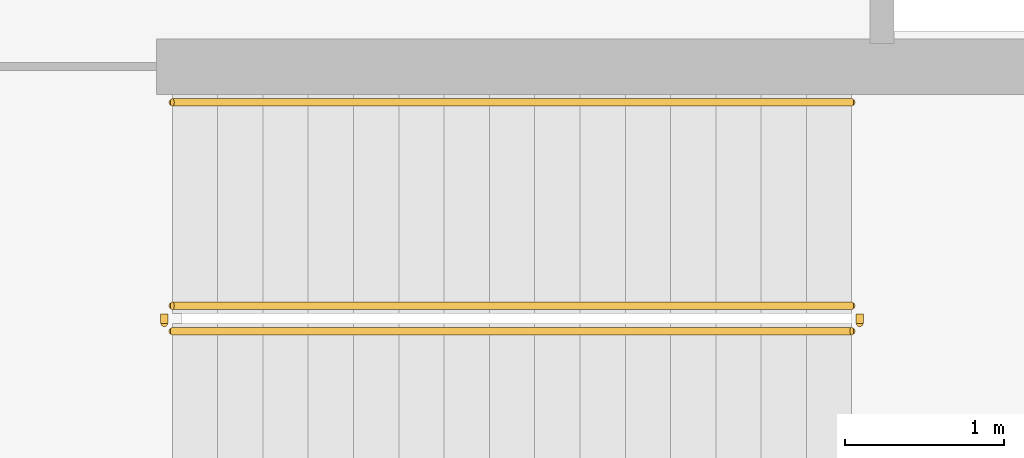
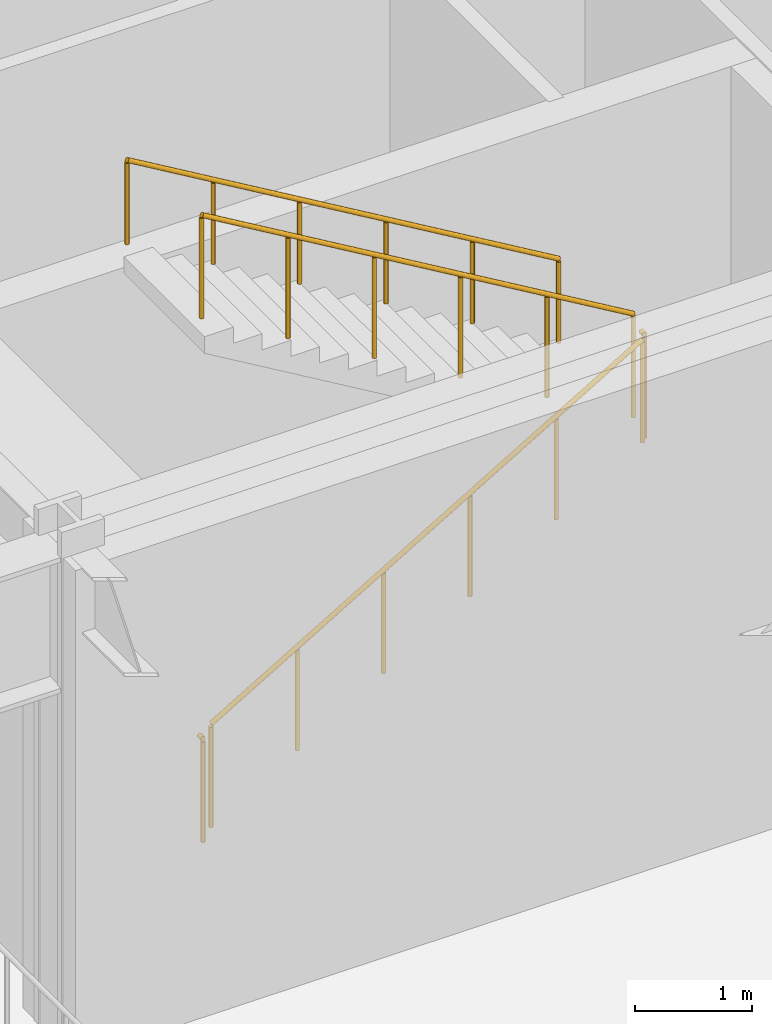
# One storey, part 13 of 15: 5 railings.
"""IFC4 building model written with IfcOpenShell, lengths in metres."""

from ifc_helpers import new_model, si_unit, direction, frame, origin, origin_2d, place, context, subcontext, project, spatial, circle, extrude, material, type_object, element, save


model = new_model("IFC4")

# Units and contexts
model_context = context("Model", 3, precision=1e-05, world=origin(), true_north=direction((0.0, 1.0)))
body_context = subcontext(model_context, "Body", "Model", "MODEL_VIEW")
ifc_project = project(units=[si_unit("LENGTHUNIT", "METRE"), si_unit("AREAUNIT", "SQUARE_METRE"), si_unit("VOLUMEUNIT", "CUBIC_METRE"), si_unit("PLANEANGLEUNIT", "RADIAN"), si_unit("MASSUNIT", "GRAM", prefix="KILO")], contexts=[model_context])

# Site, building, storey
site_placement = place(None, origin())
site = spatial("IfcSite", under=ifc_project, at=site_placement, CompositionType="ELEMENT")
building_placement = place(site_placement, origin())
building = spatial("IfcBuilding", under=site, at=building_placement, Name="Veymaron Broadcast Tower", CompositionType="ELEMENT")
storey_placement = place(building_placement, frame((0.0, 0.0, 5.39990234375)))
storey = spatial("IfcBuildingStorey", under=building, at=storey_placement, Name="L01", CompositionType="ELEMENT", Elevation=5.39990234375)

# Railings
ifc_material_1 = material(Name="Brushed stainless steel AISI 304", Category="steel")
railing_type_1 = type_object("IfcRailingType", Name="RAIL-STAIR-HR", PredefinedType="HANDRAIL", material=ifc_material_1)
railing_1_placement = place(storey_placement, frame((45.705078125, 19.219970703125, 2.868896484375)))
element("IfcRailing", 1, at=railing_1_placement, inside=storey, type_object=railing_type_1, Name="L01 ST2 stair handrail 2", PredefinedType="HANDRAIL", context=body_context, shape_type="SweptSolid", body=[
    extrude(circle(Radius=0.02392578125, at=origin_2d()), frame((0.0, 0.0, 0.8759765625), z_axis=(-0.860483042394, 0.0, 0.50947908078), x_axis=(0.0, -1.0, 0.0)), (0.0, 0.0, 1.0), 4.96826171875),
    extrude(circle(Radius=0.02099609375, at=origin_2d()), origin(), (0.0, 0.0, 1.0), 0.851806640625),
    extrude(circle(Radius=0.02099609375, at=origin_2d()), frame((-0.85498046875, 0.0, 0.50634765625)), (0.0, 0.0, 1.0), 0.851806640625),
    extrude(circle(Radius=0.02099609375, at=origin_2d()), frame((-1.7099609375, 0.0, 1.012451171875)), (0.0, 0.0, 1.0), 0.851806640625),
    extrude(circle(Radius=0.02099609375, at=origin_2d()), frame((-2.565185546875, 0.0, 1.518798828125)), (0.0, 0.0, 1.0), 0.851806640625),
    extrude(circle(Radius=0.02099609375, at=origin_2d()), frame((-3.420166015625, 0.0, 2.02490234375)), (0.0, 0.0, 1.0), 0.851806640625),
    extrude(circle(Radius=0.02099609375, at=origin_2d()), frame((-4.275146484375, 0.0, 2.53125)), (0.0, 0.0, 1.0), 0.851806640625),
])
ifc_material_2 = material(Name="Painted galvanized steel balustrade", Category="steel")
railing_type_2 = type_object("IfcRailingType", Name="RAIL-WELL-GRD", PredefinedType="GUARDRAIL", material=ifc_material_2)
railing_2_placement = place(storey_placement, frame((41.429931640625, 17.780029296875, 0.1689453125)))
element("IfcRailing", 2, at=railing_2_placement, inside=storey, type_object=railing_type_2, Name="L01 ST2 stair guard 1", PredefinedType="GUARDRAIL", context=body_context, shape_type="SweptSolid", body=[
    extrude(circle(Radius=0.02392578125, at=origin_2d()), frame((0.0, 0.0, 1.076171875), z_axis=(0.860483042394, 0.0, 0.50947908078), x_axis=(0.0, 1.0, 0.0)), (0.0, 0.0, 1.0), 4.96826171875),
    extrude(circle(Radius=0.02099609375, at=origin_2d()), origin(), (0.0, 0.0, 1.0), 1.052001953125),
    extrude(circle(Radius=0.02099609375, at=origin_2d()), frame((0.85498046875, 0.0, 0.50634765625)), (0.0, 0.0, 1.0), 1.052001953125),
    extrude(circle(Radius=0.02099609375, at=origin_2d()), frame((1.7099609375, 0.0, 1.012451171875)), (0.0, 0.0, 1.0), 1.052001953125),
    extrude(circle(Radius=0.02099609375, at=origin_2d()), frame((2.565185546875, 0.0, 1.518798828125)), (0.0, 0.0, 1.0), 1.052001953125),
    extrude(circle(Radius=0.02099609375, at=origin_2d()), frame((3.420166015625, 0.0, 2.02490234375)), (0.0, 0.0, 1.0), 1.052001953125),
    extrude(circle(Radius=0.02099609375, at=origin_2d()), frame((4.275146484375, 0.0, 2.53125)), (0.0, 0.0, 1.0), 1.052001953125),
])
railing_3_placement = place(storey_placement, frame((45.7548828125, 17.830078125, 2.7001953125)))
element("IfcRailing", 3, at=railing_3_placement, inside=storey, type_object=railing_type_2, Name="L01 ST2 stair guard 2", PredefinedType="GUARDRAIL", context=body_context, shape_type="SweptSolid", body=[
    extrude(circle(Radius=0.02392578125, at=origin_2d()), frame((0.0, 0.0, 1.076171875), z_axis=(0.0, 1.0, 0.0), x_axis=(-1.0, 0.0, 0.0)), (0.0, 0.0, 1.0), 0.059814453125),
    extrude(circle(Radius=0.02099609375, at=origin_2d()), origin(), (0.0, 0.0, 1.0), 1.052001953125),
])
railing_4_placement = place(storey_placement, frame((45.705078125, 17.93994140625, 2.868896484375)))
element("IfcRailing", 4, at=railing_4_placement, inside=storey, type_object=railing_type_2, Name="L01 ST2 stair guard 3", PredefinedType="GUARDRAIL", context=body_context, shape_type="SweptSolid", body=[
    extrude(circle(Radius=0.02392578125, at=origin_2d()), frame((0.0, 0.0, 1.076171875), z_axis=(-0.860483042394, 0.0, 0.50947908078), x_axis=(0.0, -1.0, 0.0)), (0.0, 0.0, 1.0), 4.96826171875),
    extrude(circle(Radius=0.02099609375, at=origin_2d()), origin(), (0.0, 0.0, 1.0), 1.052001953125),
    extrude(circle(Radius=0.02099609375, at=origin_2d()), frame((-0.85498046875, 0.0, 0.50634765625)), (0.0, 0.0, 1.0), 1.052001953125),
    extrude(circle(Radius=0.02099609375, at=origin_2d()), frame((-1.7099609375, 0.0, 1.012451171875)), (0.0, 0.0, 1.0), 1.052001953125),
    extrude(circle(Radius=0.02099609375, at=origin_2d()), frame((-2.565185546875, 0.0, 1.518798828125)), (0.0, 0.0, 1.0), 1.052001953125),
    extrude(circle(Radius=0.02099609375, at=origin_2d()), frame((-3.420166015625, 0.0, 2.02490234375)), (0.0, 0.0, 1.0), 1.052001953125),
    extrude(circle(Radius=0.02099609375, at=origin_2d()), frame((-4.275146484375, 0.0, 2.53125)), (0.0, 0.0, 1.0), 1.052001953125),
])
railing_5_placement = place(storey_placement, frame((41.3798828125, 17.830078125, 0.0)))
element("IfcRailing", 5, at=railing_5_placement, inside=storey, type_object=railing_type_2, Name="L01 ST2 stair guard 4", PredefinedType="GUARDRAIL", context=body_context, shape_type="SweptSolid", body=[
    extrude(circle(Radius=0.02392578125, at=origin_2d()), frame((0.0, 0.0, 1.076171875), z_axis=(0.0, 1.0, 0.0), x_axis=(-1.0, 0.0, 0.0)), (0.0, 0.0, 1.0), 0.059814453125),
    extrude(circle(Radius=0.02099609375, at=origin_2d()), origin(), (0.0, 0.0, 1.0), 1.052001953125),
])

save(model, "model.ifc")
